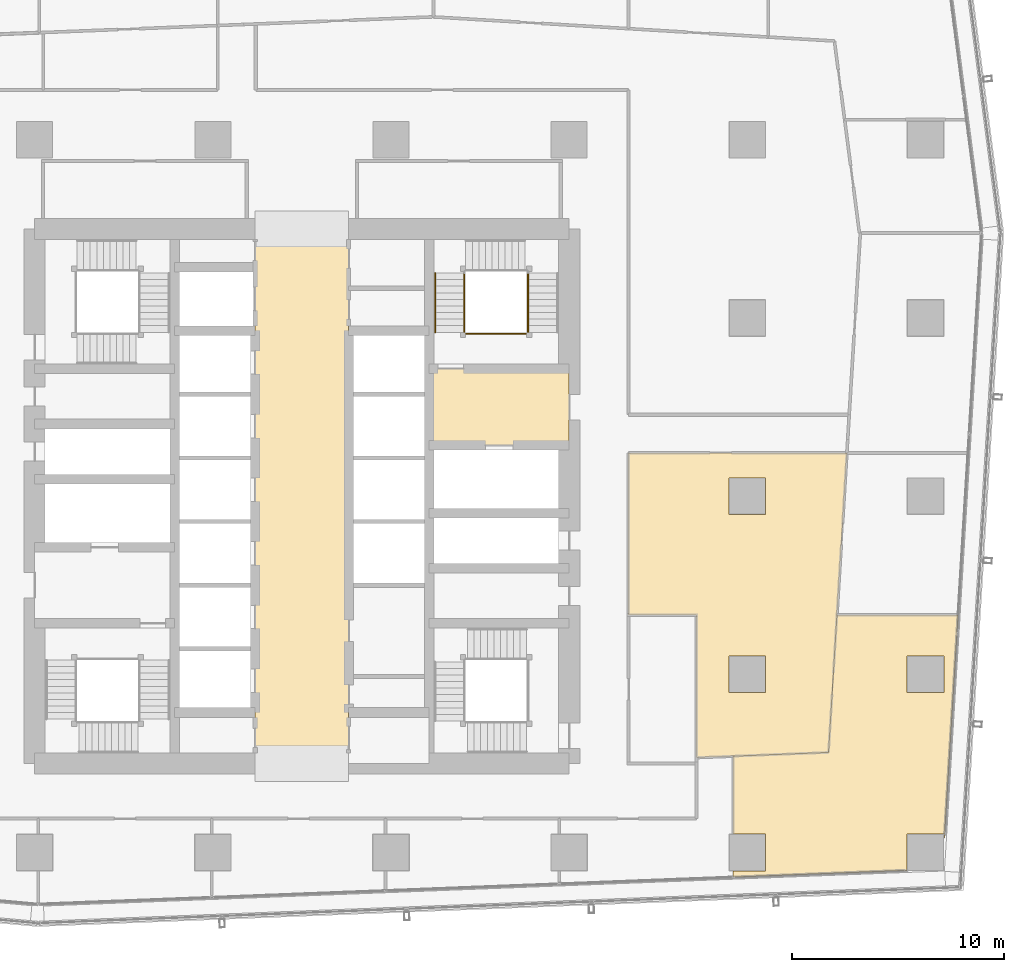
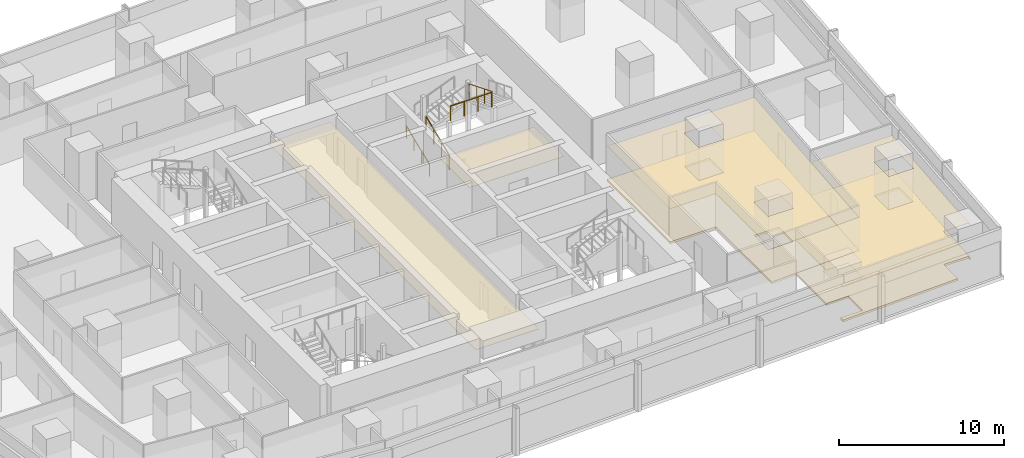
# One storey, part 38 of 40: 6 coverings, 4 railings.
"""IFC4 building model written with IfcOpenShell, lengths in metres."""

from ifc_helpers import new_model, si_unit, direction, frame, origin, origin_2d, place, context, subcontext, project, spatial, polyline, circle, outline, extrude, material, layer, layer_set, type_object, element, save


model = new_model("IFC4")

# Units and contexts
model_context = context("Model", 3, precision=1e-05, world=origin(), true_north=direction((0.0, 1.0)))
body_context = subcontext(model_context, "Body", "Model", "MODEL_VIEW")
ifc_project = project(units=[si_unit("LENGTHUNIT", "METRE"), si_unit("AREAUNIT", "SQUARE_METRE"), si_unit("VOLUMEUNIT", "CUBIC_METRE"), si_unit("PLANEANGLEUNIT", "RADIAN"), si_unit("MASSUNIT", "GRAM", prefix="KILO")], contexts=[model_context])

# Site, building, storey
site_placement = place(None, origin())
site = spatial("IfcSite", under=ifc_project, at=site_placement, CompositionType="ELEMENT")
building_placement = place(site_placement, origin())
building = spatial("IfcBuilding", under=site, at=building_placement, Name="Rekha Terrace Tower", CompositionType="ELEMENT")
storey_placement = place(building_placement, frame((0.0, 0.0, 140.300048828125)))
storey = spatial("IfcBuildingStorey", under=building, at=storey_placement, Name="L35", CompositionType="ELEMENT", Elevation=140.300048828125)

# Coverings
ifc_material_1 = material(Name="Mineral fibre tile in exposed grid", Category="finish")
ifc_layer_1 = layer(ifc_material_1, 0.02001953125)
ifc_layer_set_1 = layer_set([ifc_layer_1], Name="Mineral fibre tile in exposed grid")
covering_type_1 = type_object("IfcCoveringType", Name="CL1 600x1200 office grid ceiling", PredefinedType="CEILING", material=ifc_layer_set_1)
covering_1_placement = place(storey_placement, frame((0.0, 0.0, 2.579833984375)))
element("IfcCovering", 1, at=covering_1_placement, inside=storey, type_object=covering_type_1, Name="Ceiling L35-04", PredefinedType="CEILING", context=body_context, shape_type="SweptSolid", body=[
    extrude(outline(polyline([(68.090087890625, 17.48095703125), (68.735107421875, 27.99609375), (63.02392578125, 27.99609375), (62.626953125, 21.51708984375), (58.134033203125, 21.342041015625), (58.134033203125, 17.6650390625), (59.6650390625, 17.6650390625), (59.6650390625, 15.93505859375), (58.134033203125, 15.93505859375), (58.134033203125, 15.637939453125), (66.3349609375, 15.95703125), (66.3349609375, 17.6650390625), (68.06494140625, 17.6650390625), (68.06494140625, 17.48095703125), (68.090087890625, 17.48095703125)]), holes=[polyline([(68.06494140625, 24.3349609375), (66.3349609375, 24.3349609375), (66.3349609375, 26.06494140625), (68.06494140625, 26.06494140625), (68.06494140625, 24.3349609375)])]), origin(), (0.0, 0.0, 1.0), 0.02001953125),
])
covering_2_placement = place(storey_placement, frame((0.0, 0.0, 2.579833984375)))
element("IfcCovering", 2, at=covering_2_placement, inside=storey, type_object=covering_type_1, Name="Ceiling L35-O1b", PredefinedType="CEILING", context=body_context, shape_type="SweptSolid", body=[
    extrude(outline(polyline([(56.39990234375, 21.27490234375), (58.133056640625, 21.342041015625), (62.626953125, 21.51708984375), (63.02392578125, 27.9970703125), (63.491943359375, 35.636962890625), (53.199951171875, 35.636962890625), (53.199951171875, 28.0), (56.39990234375, 28.0), (56.39990234375, 21.27490234375)]), holes=[polyline([(59.6650390625, 26.06494140625), (59.6650390625, 24.3349609375), (57.93505859375, 24.3349609375), (57.93505859375, 26.06494140625), (59.6650390625, 26.06494140625)]), polyline([(59.6650390625, 32.735107421875), (57.93505859375, 32.735107421875), (57.93505859375, 34.465087890625), (59.6650390625, 34.465087890625), (59.6650390625, 32.735107421875)])]), origin(), (0.0, 0.0, 1.0), 0.02001953125),
])
ifc_material_2 = material(Name="Powder-coated aluminium pan", Category="aluminium")
ifc_layer_2 = layer(ifc_material_2, 0.030029296875)
ifc_layer_set_2 = layer_set([ifc_layer_2], Name="Powder-coated aluminium pan")
covering_type_2 = type_object("IfcCoveringType", Name="CL3 300x1200 metal pan ceiling", PredefinedType="CEILING", material=ifc_layer_set_2)
covering_3_placement = place(storey_placement, frame((0.0, 0.0, 2.570068359375)))
element("IfcCovering", 3, at=covering_3_placement, inside=storey, type_object=covering_type_2, Name="Ceiling L35-LOBBY", PredefinedType="CEILING", context=body_context, shape_type="SweptSolid", body=[
    extrude(outline(polyline([(40.0, 46.199951171875), (35.60009765625, 46.199951171875), (35.60009765625, 21.0), (40.0, 21.0), (40.0, 46.199951171875)])), origin(), (0.0, 0.0, 1.0), 0.02978515625),
])
covering_4_placement = place(storey_placement, frame((0.0, 0.0, 2.570068359375)))
element("IfcCovering", 4, at=covering_4_placement, inside=storey, type_object=covering_type_2, Name="Ceiling L35-FLB2", PredefinedType="CEILING", context=body_context, shape_type="SweptSolid", body=[
    extrude(outline(polyline([(50.39990234375, 39.60009765625), (43.800048828125, 39.60009765625), (43.800048828125, 36.0), (50.39990234375, 36.0), (50.39990234375, 39.60009765625)])), origin(), (0.0, 0.0, 1.0), 0.02978515625),
])

# Railings
ifc_material_3 = material(Name="Stainless steel balustrade", Category="steel")
railing_type_1 = type_object("IfcRailingType", Name="GR1 1100 stair guard", PredefinedType="GUARDRAIL", material=ifc_material_3)
railing_1_placement = place(storey_placement, frame((45.465087890625, 41.324951171875, 0.125)))
element("IfcRailing", 5, at=railing_1_placement, inside=storey, type_object=railing_type_1, Name="Guard ST2 L35 flight 1", PredefinedType="GUARDRAIL", context=body_context, shape_type="SweptSolid", body=[
    extrude(circle(Radius=0.02392578125, at=origin_2d()), frame((0.0, 0.0, 1.076171875), z_axis=(0.0, 0.927443287984, 0.373963831907), x_axis=(-1.0, 0.0, 0.0)), (0.0, 0.0, 1.0), 3.00830078125),
    extrude(circle(Radius=0.02099609375, at=origin_2d()), origin(), (0.0, 0.0, 1.0), 1.052001953125),
    extrude(circle(Radius=0.02099609375, at=origin_2d()), frame((0.0, 0.929931640625, 0.375)), (0.0, 0.0, 1.0), 1.052001953125),
    extrude(circle(Radius=0.02099609375, at=origin_2d()), frame((0.0, 1.860107421875, 0.75)), (0.0, 0.0, 1.0), 1.052001953125),
    extrude(circle(Radius=0.02099609375, at=origin_2d()), frame((0.0, 2.7900390625, 1.125)), (0.0, 0.0, 1.0), 1.052001953125),
])
railing_2_placement = place(storey_placement, frame((48.4599609375, 44.114990234375, 2.625)))
element("IfcRailing", 6, at=railing_2_placement, inside=storey, type_object=railing_type_1, Name="Guard ST2 L35 flight 3", PredefinedType="GUARDRAIL", context=body_context, shape_type="SweptSolid", body=[
    extrude(circle(Radius=0.02392578125, at=origin_2d()), frame((0.0, 0.0, 1.076171875), z_axis=(0.0, -0.927443287984, 0.373963831907), x_axis=(1.0, 0.0, 0.0)), (0.0, 0.0, 1.0), 3.00830078125),
    extrude(circle(Radius=0.02099609375, at=origin_2d()), origin(), (0.0, 0.0, 1.0), 1.052001953125),
    extrude(circle(Radius=0.02099609375, at=origin_2d()), frame((0.0, -0.929931640625, 0.375)), (0.0, 0.0, 1.0), 1.052001953125),
    extrude(circle(Radius=0.02099609375, at=origin_2d()), frame((0.0, -1.860107421875, 0.75)), (0.0, 0.0, 1.0), 1.052001953125),
    extrude(circle(Radius=0.02099609375, at=origin_2d()), frame((0.0, -2.7900390625, 1.125)), (0.0, 0.0, 1.0), 1.052001953125),
])
railing_3_placement = place(storey_placement, frame((45.52490234375, 41.264892578125, 3.75)))
element("IfcRailing", 7, at=railing_3_placement, inside=storey, type_object=railing_type_1, Name="Guard ST2 L35 landing 4", PredefinedType="GUARDRAIL", context=body_context, shape_type="SweptSolid", body=[
    extrude(circle(Radius=0.02392578125, at=origin_2d()), frame((0.0, 0.0, 1.076171875), z_axis=(1.0, 0.0, 0.0), x_axis=(0.0, 1.0, 0.0)), (0.0, 0.0, 1.0), 2.875),
    extrude(circle(Radius=0.02099609375, at=origin_2d()), origin(), (0.0, 0.0, 1.0), 1.052001953125),
    extrude(circle(Radius=0.02099609375, at=origin_2d()), frame((0.958251953125, 0.0, 0.0)), (0.0, 0.0, 1.0), 1.052001953125),
    extrude(circle(Radius=0.02099609375, at=origin_2d()), frame((1.916748046875, 0.0, 0.0)), (0.0, 0.0, 1.0), 1.052001953125),
    extrude(circle(Radius=0.02099609375, at=origin_2d()), frame((2.875, 0.0, 0.0)), (0.0, 0.0, 1.0), 1.052001953125),
])
ifc_material_4 = material(Name="Stainless steel tube", Category="steel")
railing_type_2 = type_object("IfcRailingType", Name="HR1 900 stair handrail", PredefinedType="HANDRAIL", material=ifc_material_4)
railing_4_placement = place(storey_placement, frame((44.0849609375, 41.324951171875, 0.125)))
element("IfcRailing", 8, at=railing_4_placement, inside=storey, type_object=railing_type_2, Name="Handrail ST2 L35 flight 1", PredefinedType="HANDRAIL", context=body_context, shape_type="SweptSolid", body=[
    extrude(circle(Radius=0.02392578125, at=origin_2d()), frame((0.0, 0.0, 0.8759765625), z_axis=(0.0, 0.927443287984, 0.373963831907), x_axis=(-1.0, 0.0, 0.0)), (0.0, 0.0, 1.0), 3.00830078125),
    extrude(circle(Radius=0.02099609375, at=origin_2d()), origin(), (0.0, 0.0, 1.0), 0.851806640625),
    extrude(circle(Radius=0.02099609375, at=origin_2d()), frame((0.0, 0.929931640625, 0.375)), (0.0, 0.0, 1.0), 0.851806640625),
    extrude(circle(Radius=0.02099609375, at=origin_2d()), frame((0.0, 1.860107421875, 0.75)), (0.0, 0.0, 1.0), 0.851806640625),
    extrude(circle(Radius=0.02099609375, at=origin_2d()), frame((0.0, 2.7900390625, 1.125)), (0.0, 0.0, 1.0), 0.851806640625),
])

# Coverings
ifc_material_5 = material(Name="Calcium sulphate panels on steel pedestals", Category="steel")
ifc_layer_3 = layer(ifc_material_5, 0.14990234375)
ifc_layer_set_3 = layer_set([ifc_layer_3], Name="Calcium sulphate panels on steel pedestals")
covering_type_3 = type_object("IfcCoveringType", Name="RF1 150 raised access floor", PredefinedType="FLOORING", material=ifc_layer_set_3)
covering_5_placement = place(storey_placement, origin())
element("IfcCovering", 9, at=covering_5_placement, inside=storey, type_object=covering_type_3, Name="Raised floor L35-04", PredefinedType="FLOORING", context=body_context, shape_type="SweptSolid", body=[
    extrude(outline(polyline([(68.090087890625, 17.48095703125), (68.735107421875, 27.99609375), (63.02392578125, 27.99609375), (62.626953125, 21.51708984375), (58.134033203125, 21.342041015625), (58.134033203125, 17.6650390625), (59.6650390625, 17.6650390625), (59.6650390625, 15.93505859375), (58.134033203125, 15.93505859375), (58.134033203125, 15.637939453125), (66.3349609375, 15.95703125), (66.3349609375, 17.6650390625), (68.06494140625, 17.6650390625), (68.06494140625, 17.48095703125), (68.090087890625, 17.48095703125)]), holes=[polyline([(68.06494140625, 24.3349609375), (66.3349609375, 24.3349609375), (66.3349609375, 26.06494140625), (68.06494140625, 26.06494140625), (68.06494140625, 24.3349609375)])]), origin(), (0.0, 0.0, 1.0), 0.14990234375),
])
covering_6_placement = place(storey_placement, origin())
element("IfcCovering", 10, at=covering_6_placement, inside=storey, type_object=covering_type_3, Name="Raised floor L35-O1b", PredefinedType="FLOORING", context=body_context, shape_type="SweptSolid", body=[
    extrude(outline(polyline([(56.39990234375, 21.27490234375), (58.133056640625, 21.342041015625), (62.626953125, 21.51708984375), (63.02392578125, 27.9970703125), (63.491943359375, 35.636962890625), (53.199951171875, 35.636962890625), (53.199951171875, 28.0), (56.39990234375, 28.0), (56.39990234375, 21.27490234375)]), holes=[polyline([(59.6650390625, 26.06494140625), (59.6650390625, 24.3349609375), (57.93505859375, 24.3349609375), (57.93505859375, 26.06494140625), (59.6650390625, 26.06494140625)]), polyline([(59.6650390625, 32.735107421875), (57.93505859375, 32.735107421875), (57.93505859375, 34.465087890625), (59.6650390625, 34.465087890625), (59.6650390625, 32.735107421875)])]), origin(), (0.0, 0.0, 1.0), 0.14990234375),
])

save(model, "model.ifc")
